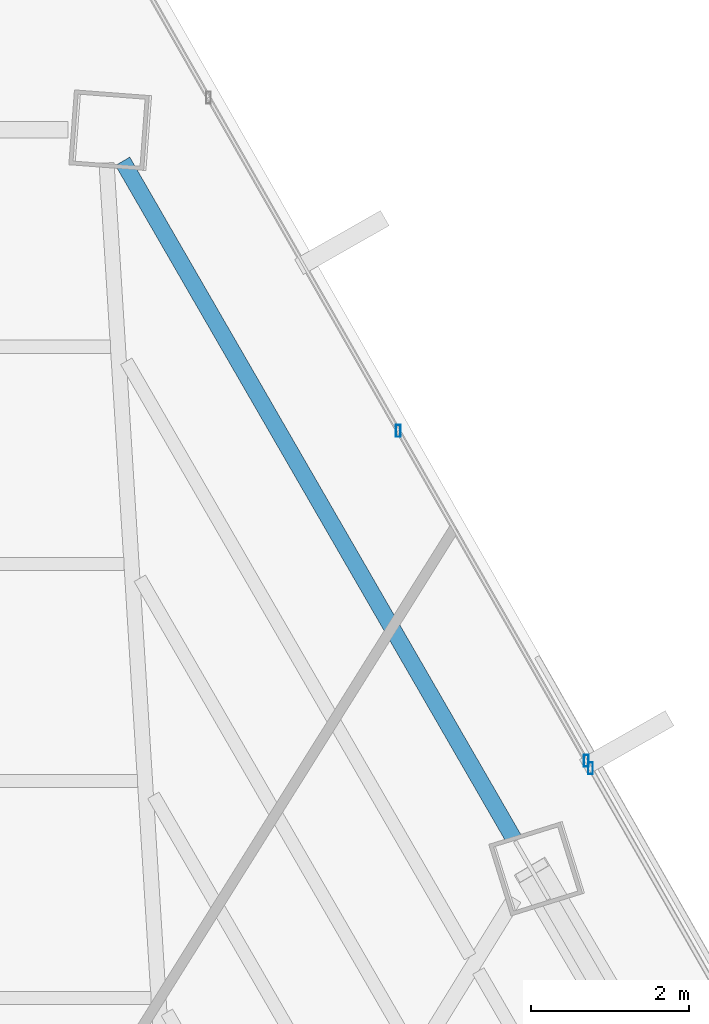
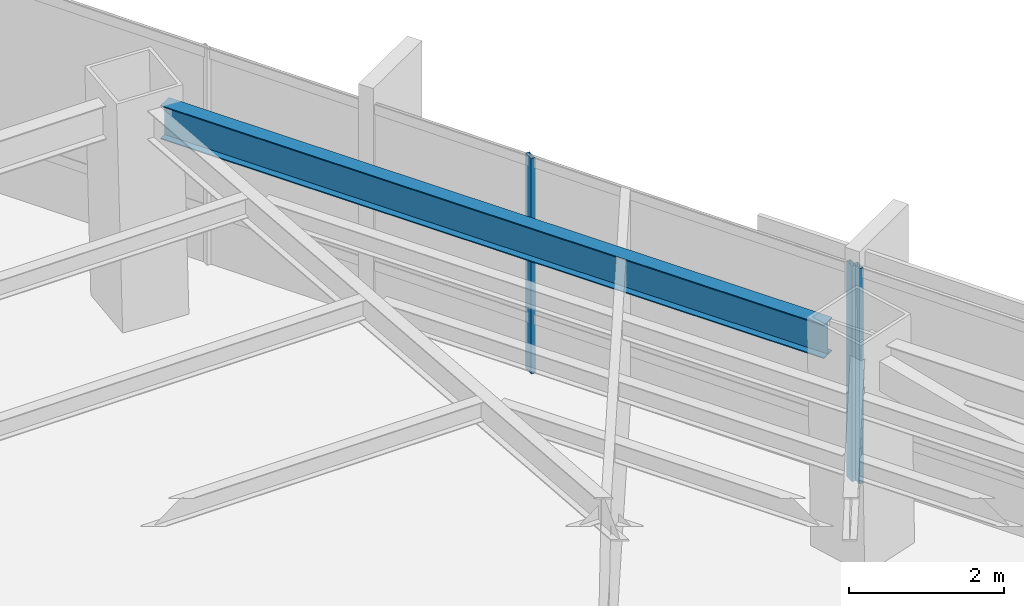
# One storey, part 31 of 39: 3 members, 1 beam, 2 elements without a shape of their own.
"""IFC4 building model written with IfcOpenShell, lengths in metres."""

from ifc_helpers import new_model, si_unit, direction, frame, origin, origin_2d, place, context, subcontext, project, spatial, hollow_rectangle, i_section, extrude, source, transform, mapped, material, material_profile, profile_set, type_object, type_shapes, element, aggregate, save


model = new_model("IFC4")

# Units and contexts
model_context = context("Model", 3, precision=1e-05, world=origin(), true_north=direction((0.0, 1.0)))
body_context = subcontext(model_context, "Body", "Model", "MODEL_VIEW")
ifc_project = project(units=[si_unit("LENGTHUNIT", "METRE"), si_unit("AREAUNIT", "SQUARE_METRE"), si_unit("VOLUMEUNIT", "CUBIC_METRE"), si_unit("PLANEANGLEUNIT", "RADIAN"), si_unit("MASSUNIT", "GRAM", prefix="KILO")], contexts=[model_context])

# Site, building, storey
site_placement = place(None, origin())
site = spatial("IfcSite", under=ifc_project, at=site_placement, CompositionType="ELEMENT")
building_placement = place(site_placement, origin())
building = spatial("IfcBuilding", under=site, at=building_placement, Name="Caelisora Broadcast Tower", CompositionType="ELEMENT")
storey_placement = place(building_placement, frame((0.0, 0.0, 142.75)))
storey = spatial("IfcBuildingStorey", under=building, at=storey_placement, Name="L37", CompositionType="ELEMENT", Elevation=142.75)

# Beam
ifc_material_1 = material(Name="Steel Grade 350 (AS/NZS 3679.1)", Category="steel")
ifc_material_profile_1 = material_profile(ifc_material_1, i_section(OverallWidth=0.208984375, OverallDepth=0.532958984375, WebThickness=0.01025390625, FlangeThickness=0.015625, at=origin_2d()), Name="Steel Grade 350 (AS/NZS 3679.1)")
ifc_profile_set_1 = profile_set([ifc_material_profile_1], Name="Steel Grade 350 (AS/NZS 3679.1)")
beam_type = type_object("IfcBeamType", Name="PG05", PredefinedType="BEAM", material=ifc_profile_set_1)
shared_shape_1 = source(origin(), body_context, "Body", "SweptSolid", [
    extrude(i_section(OverallWidth=0.208984375, OverallDepth=0.532958984375, WebThickness=0.01025390625, FlangeThickness=0.015625, at=origin_2d()), origin(), (0.0, 0.0, 1.0), 9.9013671875),
])
type_shapes(beam_type, [shared_shape_1])
beam_placement = place(storey_placement, frame((49.654296875, 37.5078125, 3.133544921875), z_axis=(-0.499994942134, 0.866028323925, 0.0), x_axis=(-0.866028323925, -0.499994942134, 0.0)))
element("IfcBeam", 1, at=beam_placement, inside=storey, type_object=beam_type, Name="L37 beam PG05", PredefinedType="BEAM", context=body_context, shape_type="MappedRepresentation", body=[
    mapped(shared_shape_1, transform((0.0, 0.0, 0.0), scale=1.0)),
])

# Curtain wall, members
ifc_material_2 = material(Name="Unitised Aluminium and Low-E Glass Curtain Wall", Category="glass")
curtain_wall_type_1 = type_object("IfcCurtainWallType", Name="CW-Z3", PredefinedType="NOTDEFINED", material=ifc_material_2)
curtain_wall_1_placement = place(storey_placement, origin())
curtain_wall_1 = element("IfcCurtainWall", 2, at=curtain_wall_1_placement, inside=storey, type_object=curtain_wall_type_1, Name="L37 curtain wall CW-Z3", PredefinedType="NOTDEFINED")
ifc_material_3 = material(Name="Aluminium 6063-T6 Anodised Terracotta Bronze", Category="aluminium")
ifc_material_profile_2 = material_profile(ifc_material_3, hollow_rectangle(XDim=0.06005859375, YDim=0.14990234375, WallThickness=0.00341796875, at=origin_2d()), Name="Aluminium 6063-T6 Anodised Terracotta Bronze")
ifc_profile_set_2 = profile_set([ifc_material_profile_2], Name="Aluminium 6063-T6 Anodised Terracotta Bronze")
member_type = type_object("IfcMemberType", Name="CWM-03", PredefinedType="MULLION", material=ifc_profile_set_2)
shared_shape_2 = source(origin(), body_context, "Body", "SweptSolid", [
    extrude(hollow_rectangle(XDim=0.06005859375, YDim=0.14990234375, WallThickness=0.00341796875, at=origin_2d()), origin(), (0.0, 0.0, 1.0), 3.39990234375),
])
type_shapes(member_type, [shared_shape_2])
member_1_placement = place(storey_placement, frame((48.1923828125, 42.669677734375, 0.0), z_axis=(0.0, 0.0, 1.0), x_axis=(1.0, 0.0, 0.0)))
member_1 = element("IfcMember", 3, at=member_1_placement, type_object=member_type, Name="L37-CW-B01 mullion #2", PredefinedType="MULLION", context=body_context, shape_type="MappedRepresentation", body=[
    mapped(shared_shape_2, transform((0.0, 0.0, 0.0), scale=1.0)),
])
member_2_placement = place(storey_placement, frame((50.570556640625, 38.494384765625, 0.0), z_axis=(0.0, 0.0, 1.0), x_axis=(1.0, 0.0, 0.0)))
member_2 = element("IfcMember", 4, at=member_2_placement, type_object=member_type, Name="L37-CW-B01 mullion #3", PredefinedType="MULLION", context=body_context, shape_type="MappedRepresentation", body=[
    mapped(shared_shape_2, transform((0.0, 0.0, 0.0), scale=1.0)),
])
aggregate(curtain_wall_1, [member_1, member_2])

# Curtain wall, member
ifc_material_4 = material(Name="Unitised Aluminium Insulated Shadow-Box Spandrel Curtain Wall", Category="aluminium")
curtain_wall_type_2 = type_object("IfcCurtainWallType", Name="CW-SP2", PredefinedType="NOTDEFINED", material=ifc_material_4)
curtain_wall_2_placement = place(storey_placement, origin())
curtain_wall_2 = element("IfcCurtainWall", 5, at=curtain_wall_2_placement, inside=storey, type_object=curtain_wall_type_2, Name="L37 curtain wall CW-SP2", PredefinedType="NOTDEFINED")
member_3_placement = place(storey_placement, frame((50.625, 38.39892578125, 0.0), z_axis=(0.0, 0.0, 1.0), x_axis=(1.0, 0.0, 0.0)))
member_3 = element("IfcMember", 6, at=member_3_placement, type_object=member_type, Name="L37-CW-B02 mullion #0", PredefinedType="MULLION", context=body_context, shape_type="MappedRepresentation", body=[
    mapped(shared_shape_2, transform((0.0, 0.0, 0.0), scale=1.0)),
])
aggregate(curtain_wall_2, [member_3])

save(model, "model.ifc")
